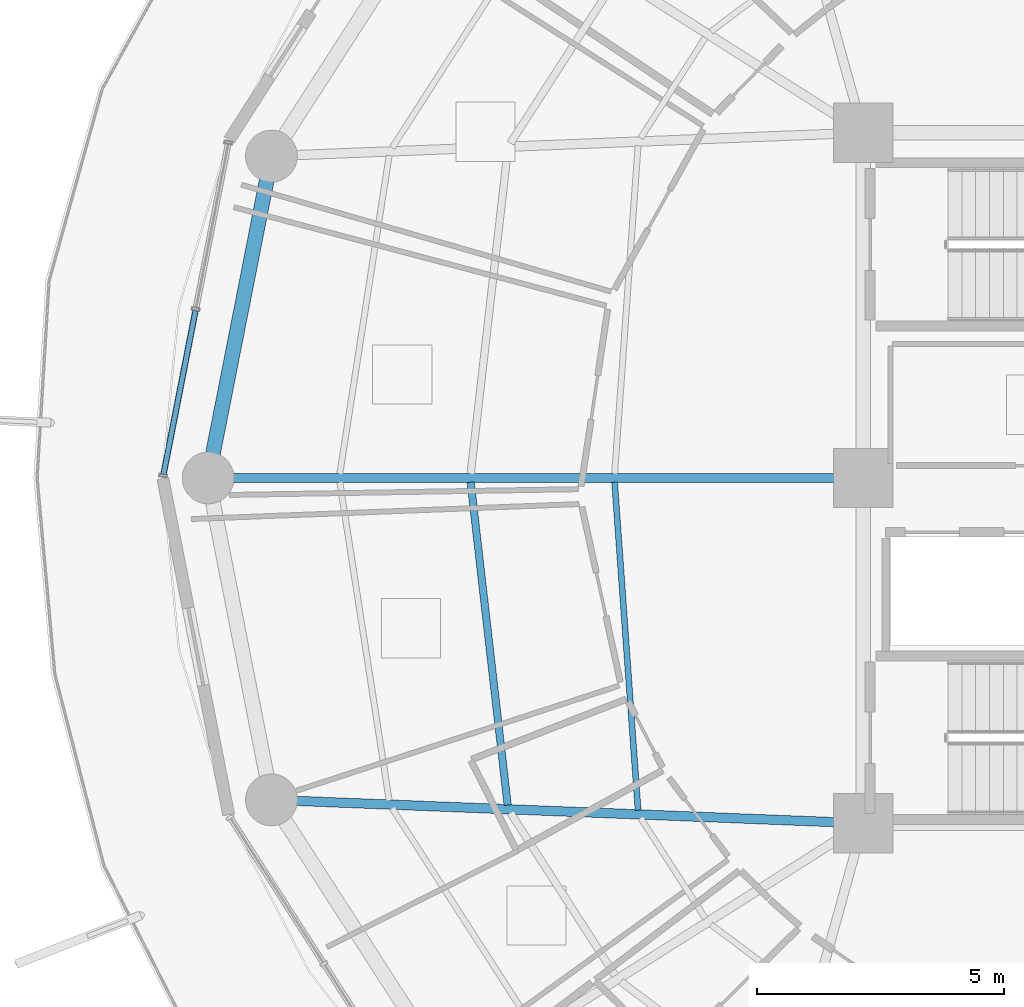
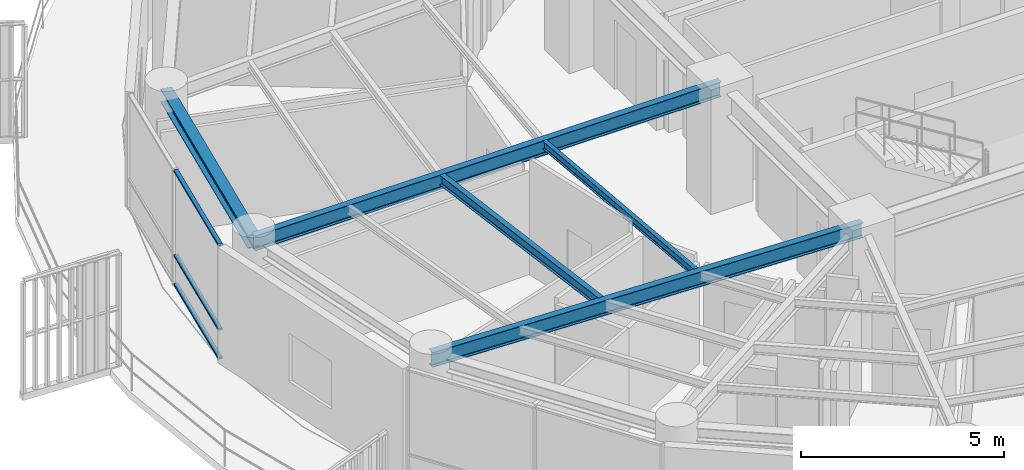
# One storey, part 7 of 30: 5 beams, 3 members, 1 element without a shape of its own.
"""IFC4 building model written with IfcOpenShell, lengths in metres."""

from ifc_helpers import new_model, si_unit, direction, frame, origin, origin_2d, place, context, subcontext, project, spatial, hollow_rectangle, i_section, extrude, material, layer, layer_set, material_profile, profile_set, type_object, element, aggregate, save


model = new_model("IFC4")

# Units and contexts
model_context = context("Model", 3, precision=1e-05, world=origin(), true_north=direction((0.0, 1.0)))
body_context = subcontext(model_context, "Body", "Model", "MODEL_VIEW")
ifc_project = project(units=[si_unit("LENGTHUNIT", "METRE"), si_unit("AREAUNIT", "SQUARE_METRE"), si_unit("VOLUMEUNIT", "CUBIC_METRE"), si_unit("PLANEANGLEUNIT", "RADIAN"), si_unit("MASSUNIT", "GRAM", prefix="KILO")], contexts=[model_context])

# Site, building, storey
site_placement = place(None, origin())
site = spatial("IfcSite", under=ifc_project, at=site_placement, CompositionType="ELEMENT")
building_placement = place(site_placement, origin())
building = spatial("IfcBuilding", under=site, at=building_placement, Name="Kelanora Arch Commons", CompositionType="ELEMENT")
storey_placement = place(building_placement, frame((0.0, 0.0, 208.199951171875)))
storey = spatial("IfcBuildingStorey", under=building, at=storey_placement, Name="L53", CompositionType="ELEMENT", Elevation=208.199951171875)

# Beams
ifc_material_1 = material(Name="Steel S355", Category="steel")
ifc_material_profile_1 = material_profile(ifc_material_1, i_section(OverallWidth=0.14990234375, OverallDepth=0.300048828125, WebThickness=0.007080078125, FlangeThickness=0.0107421875, FilletRadius=0.014892578125, at=origin_2d()), Name="IPE300")
ifc_profile_set_1 = profile_set([ifc_material_profile_1], Name="Steel S355")
beam_type_1 = type_object("IfcBeamType", Name="BM-JST-01", PredefinedType="JOIST", material=ifc_profile_set_1)
beam_1_placement = place(storey_placement, frame((58.041748046875, 57.91552734375, 3.340087890625), z_axis=(0.113891408177, -0.993493204377, 0.0), x_axis=(0.993493204377, 0.113891408177, 0.0)))
element("IfcBeam", 1, at=beam_1_placement, inside=storey, type_object=beam_type_1, Name="Secondary Chord Joist BJB-18 L53", PredefinedType="JOIST", context=body_context, shape_type="SweptSolid", body=[
    extrude(i_section(OverallWidth=0.14990234375, OverallDepth=0.300048828125, WebThickness=0.007080078125, FlangeThickness=0.0107421875, FilletRadius=0.014892578125, at=origin_2d()), origin(), (0.0, 0.0, 1.0), 6.589599609375),
])
ifc_material_profile_2 = material_profile(ifc_material_1, i_section(OverallWidth=0.1201171875, OverallDepth=0.239990234375, WebThickness=0.006103515625, FlangeThickness=0.009765625, FilletRadius=0.014892578125, at=origin_2d()), Name="IPE240")
ifc_profile_set_2 = profile_set([ifc_material_profile_2], Name="Steel S355")
beam_type_2 = type_object("IfcBeamType", Name="BM-JST-02", PredefinedType="JOIST", material=ifc_profile_set_2)
beam_2_placement = place(storey_placement, frame((60.959716796875, 57.915283203125, 3.3701171875), z_axis=(0.07133032136, -0.997452748382, 0.0), x_axis=(0.997452748382, 0.07133032136, 0.0)))
element("IfcBeam", 2, at=beam_2_placement, inside=storey, type_object=beam_type_2, Name="Secondary Chord Joist BJA-18 L53", PredefinedType="JOIST", context=body_context, shape_type="SweptSolid", body=[
    extrude(i_section(OverallWidth=0.1201171875, OverallDepth=0.239990234375, WebThickness=0.006103515625, FlangeThickness=0.009765625, FilletRadius=0.014892578125, at=origin_2d()), origin(), (0.0, 0.0, 1.0), 6.66748046875),
])
ifc_material_profile_3 = material_profile(ifc_material_1, i_section(OverallWidth=0.18994140625, OverallDepth=0.449951171875, WebThickness=0.009521484375, FlangeThickness=0.0146484375, FilletRadius=0.02099609375, at=origin_2d()), Name="IPE450")
ifc_profile_set_3 = profile_set([ifc_material_profile_3], Name="Steel S355")
beam_type_3 = type_object("IfcBeamType", Name="BM-RAD-Z4", PredefinedType="BEAM", material=ifc_profile_set_3)
beam_3_placement = place(storey_placement, frame((66.0, 58.0, 3.26513671875), z_axis=(-1.0, 0.0, 0.0), x_axis=(0.0, -1.0, 0.0)))
element("IfcBeam", 3, at=beam_3_placement, inside=storey, type_object=beam_type_3, Name="Radial Floor Girder BR-18 L53", PredefinedType="BEAM", context=body_context, shape_type="SweptSolid", body=[
    extrude(i_section(OverallWidth=0.18994140625, OverallDepth=0.449951171875, WebThickness=0.009521484375, FlangeThickness=0.0146484375, FilletRadius=0.02099609375, at=origin_2d()), origin(), (0.0, 0.0, 1.0), 13.280029296875),
])
beam_4_placement = place(storey_placement, frame((66.0, 51.0, 3.26513671875), z_axis=(-0.999219142585, 0.03951082246, 0.0), x_axis=(-0.03951082246, -0.999219142585, 0.0)))
element("IfcBeam", 4, at=beam_4_placement, inside=storey, type_object=beam_type_3, Name="Radial Floor Girder BR-20 L53", PredefinedType="BEAM", context=body_context, shape_type="SweptSolid", body=[
    extrude(i_section(OverallWidth=0.18994140625, OverallDepth=0.449951171875, WebThickness=0.009521484375, FlangeThickness=0.0146484375, FilletRadius=0.02099609375, at=origin_2d()), origin(), (0.0, 0.0, 1.0), 12.005859375),
])
ifc_material_profile_4 = material_profile(ifc_material_1, i_section(OverallWidth=0.300048828125, OverallDepth=0.39990234375, WebThickness=0.013427734375, FlangeThickness=0.02392578125, FilletRadius=0.027099609375, at=origin_2d()), Name="HEB400")
ifc_profile_set_4 = profile_set([ifc_material_profile_4], Name="Steel S355")
beam_type_4 = type_object("IfcBeamType", Name="BM-SPN-Z4", PredefinedType="SPANDREL", material=ifc_profile_set_4)
beam_5_placement = place(storey_placement, frame((54.00341796875, 64.525634765625, 3.2900390625), z_axis=(-0.192980724826, -0.981202547819, 0.0), x_axis=(0.981202547819, -0.192980724826, 0.0)))
element("IfcBeam", 5, at=beam_5_placement, inside=storey, type_object=beam_type_4, Name="Perimeter Spandrel Beam BS-16 L53", PredefinedType="SPANDREL", context=body_context, shape_type="SweptSolid", body=[
    extrude(i_section(OverallWidth=0.300048828125, OverallDepth=0.39990234375, WebThickness=0.013427734375, FlangeThickness=0.02392578125, FilletRadius=0.027099609375, at=origin_2d()), origin(), (0.0, 0.0, 1.0), 6.650634765625),
])

# Curtain wall, members
ifc_material_2 = material(Name="Terracotta ceramic-fritted low-E glass and aluminium", Category="masonry")
ifc_layer = layer(ifc_material_2, 0.175048828125)
ifc_layer_set = layer_set([ifc_layer], Name="Terracotta ceramic-fritted low-E glass and aluminium")
curtain_wall_type = type_object("IfcCurtainWallType", Name="CW-SYS-02", PredefinedType="NOTDEFINED", material=ifc_layer_set)
curtain_wall_placement = place(storey_placement, origin())
curtain_wall = element("IfcCurtainWall", 6, at=curtain_wall_placement, inside=storey, type_object=curtain_wall_type, Name="Unitised Curtain Wall L53-B08", PredefinedType="NOTDEFINED")
ifc_material_3 = material(Name="Powder-coated aluminium terracotta", Category="masonry")
ifc_material_profile_5 = material_profile(ifc_material_3, hollow_rectangle(XDim=0.1201171875, YDim=0.06005859375, WallThickness=0.0048828125, InnerFilletRadius=0.0048828125, OuterFilletRadius=0.010009765625, at=origin_2d()), Name="CWT120x60")
ifc_profile_set_5 = profile_set([ifc_material_profile_5], Name="Powder-coated aluminium terracotta")
member_type = type_object("IfcMemberType", Name="CWT-STD", PredefinedType="USERDEFINED", material=ifc_profile_set_5)
member_1_placement = place(storey_placement, frame((52.463623046875, 61.390869140625, 0.030029296875), z_axis=(-0.192044874899, -0.981386145218, 0.0), x_axis=(0.981386145218, -0.192044874899, 0.0)))
member_1 = element("IfcMember", 7, at=member_1_placement, type_object=member_type, Name="CW-02 transom 2.1", ObjectType="TRANSOM", PredefinedType="USERDEFINED", context=body_context, shape_type="SweptSolid", body=[
    extrude(hollow_rectangle(XDim=0.1201171875, YDim=0.06005859375, WallThickness=0.0048828125, InnerFilletRadius=0.0048828125, OuterFilletRadius=0.010009765625, at=origin_2d()), origin(), (0.0, 0.0, 1.0), 3.38037109375),
])
member_2_placement = place(storey_placement, frame((52.463623046875, 61.390869140625, 0.900146484375), z_axis=(-0.192044874899, -0.981386145218, 0.0), x_axis=(0.981386145218, -0.192044874899, 0.0)))
member_2 = element("IfcMember", 8, at=member_2_placement, type_object=member_type, Name="CW-02 transom 2.2", ObjectType="TRANSOM", PredefinedType="USERDEFINED", context=body_context, shape_type="SweptSolid", body=[
    extrude(hollow_rectangle(XDim=0.1201171875, YDim=0.06005859375, WallThickness=0.0048828125, InnerFilletRadius=0.0048828125, OuterFilletRadius=0.010009765625, at=origin_2d()), origin(), (0.0, 0.0, 1.0), 3.38037109375),
])
member_3_placement = place(storey_placement, frame((52.463623046875, 61.390869140625, 3.445068359375), z_axis=(-0.192044874899, -0.981386145218, 0.0), x_axis=(0.981386145218, -0.192044874899, 0.0)))
member_3 = element("IfcMember", 9, at=member_3_placement, type_object=member_type, Name="CW-02 transom 2.3", ObjectType="TRANSOM", PredefinedType="USERDEFINED", context=body_context, shape_type="SweptSolid", body=[
    extrude(hollow_rectangle(XDim=0.1201171875, YDim=0.06005859375, WallThickness=0.0048828125, InnerFilletRadius=0.0048828125, OuterFilletRadius=0.010009765625, at=origin_2d()), origin(), (0.0, 0.0, 1.0), 3.38037109375),
])
aggregate(curtain_wall, [member_1, member_2, member_3])

save(model, "model.ifc")
